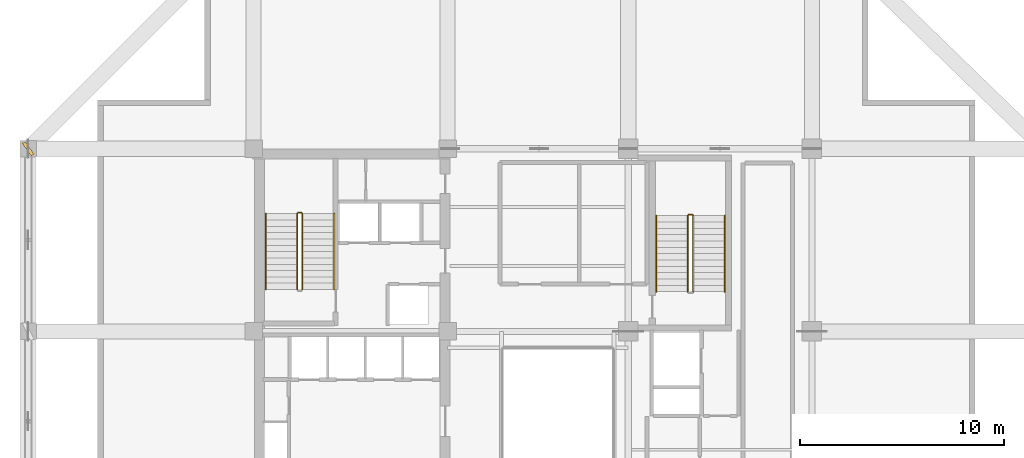
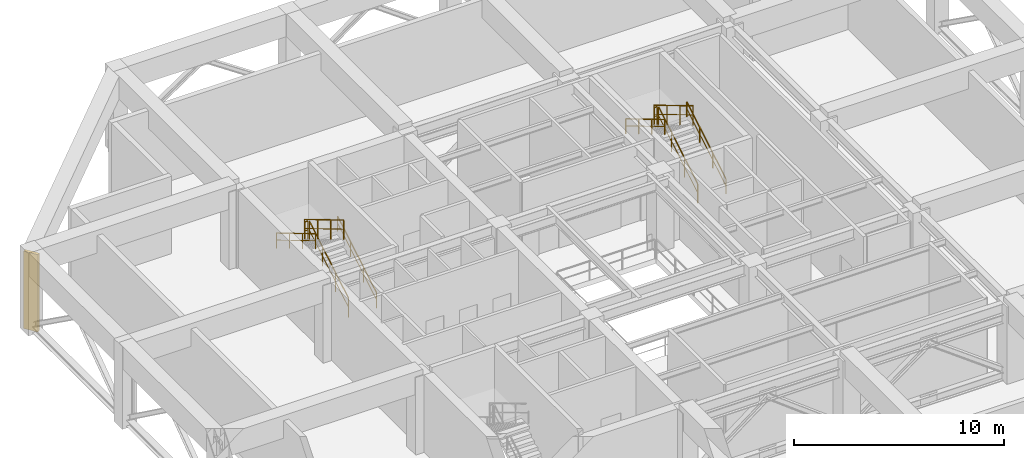
# One storey, part 10 of 10: 10 railings, 1 shading device.
"""IFC4 building model written with IfcOpenShell, lengths in metres."""

from ifc_helpers import new_model, si_unit, direction, frame, origin, origin_2d, place, context, subcontext, project, spatial, rectangle, extrude, material, type_object, element, save


model = new_model("IFC4")

# Units and contexts
model_context = context("Model", 3, precision=1e-05, world=origin(), true_north=direction((0.0, 1.0)))
body_context = subcontext(model_context, "Body", "Model", "MODEL_VIEW")
ifc_project = project(units=[si_unit("LENGTHUNIT", "METRE"), si_unit("AREAUNIT", "SQUARE_METRE"), si_unit("VOLUMEUNIT", "CUBIC_METRE"), si_unit("PLANEANGLEUNIT", "RADIAN"), si_unit("MASSUNIT", "GRAM", prefix="KILO")], contexts=[model_context])

# Site, building, storey
site_placement = place(None, origin())
site = spatial("IfcSite", under=ifc_project, at=site_placement, CompositionType="ELEMENT")
building_placement = place(site_placement, origin())
building = spatial("IfcBuilding", under=site, at=building_placement, Name="Kundavana Baori Tower", CompositionType="ELEMENT")
storey_placement = place(building_placement, frame((0.0, 0.0, 204.10009765625)))
storey = spatial("IfcBuildingStorey", under=building, at=storey_placement, Name="L50", CompositionType="ELEMENT", Elevation=204.10009765625)

# Railings
ifc_material_1 = material(Name="Architectural Patinated Bronze Metalwork")
railing_type_1 = type_object("IfcRailingType", Name="RL-GRD-1150", PredefinedType="GUARDRAIL", material=ifc_material_1)
railing_1_placement = place(storey_placement, frame((17.840087890625, 35.050048828125, 0.1845703125)))
element("IfcRailing", 1, at=railing_1_placement, inside=storey, type_object=railing_type_1, Name="L50 ST2 stair guard 1", PredefinedType="GUARDRAIL", context=body_context, shape_type="SweptSolid", body=[
    extrude(rectangle(XDim=0.048095703125, YDim=0.048095703125, at=origin_2d()), frame((0.0, 0.0, 1.1259765625), z_axis=(0.0, 0.859184880589, 0.511665262615), x_axis=(-1.0, 0.0, 0.0)), (0.0, 0.0, 1.0), 4.32958984375),
    extrude(rectangle(XDim=0.03125, YDim=0.03125, at=origin_2d()), frame((0.0, 0.0, 0.597900390625), z_axis=(0.0, 0.859184880589, 0.511665262615), x_axis=(-1.0, 0.0, 0.0)), (0.0, 0.0, 1.0), 4.32958984375),
    extrude(rectangle(XDim=0.0419921875, YDim=0.0419921875, at=origin_2d()), origin(), (0.0, 0.0, 1.0), 1.101806640625),
    extrude(rectangle(XDim=0.0419921875, YDim=0.0419921875, at=origin_2d()), frame((0.0, 1.239990234375, 0.738525390625)), (0.0, 0.0, 1.0), 1.101806640625),
    extrude(rectangle(XDim=0.0419921875, YDim=0.0419921875, at=origin_2d()), frame((0.0, 2.47998046875, 1.476806640625)), (0.0, 0.0, 1.0), 1.101806640625),
    extrude(rectangle(XDim=0.0419921875, YDim=0.0419921875, at=origin_2d()), frame((0.0, 3.719970703125, 2.21533203125)), (0.0, 0.0, 1.0), 1.101806640625),
])
railing_2_placement = place(storey_placement, frame((17.7900390625, 38.820068359375, 2.39990234375)))
element("IfcRailing", 2, at=railing_2_placement, inside=storey, type_object=railing_type_1, Name="L50 ST2 stair guard 2", PredefinedType="GUARDRAIL", context=body_context, shape_type="SweptSolid", body=[
    extrude(rectangle(XDim=0.048095703125, YDim=0.048095703125, at=origin_2d()), frame((0.0, 0.0, 1.1259765625), z_axis=(-1.0, 0.0, 0.0), x_axis=(0.0, -1.0, 0.0)), (0.0, 0.0, 1.0), 0.16015625),
    extrude(rectangle(XDim=0.03125, YDim=0.03125, at=origin_2d()), frame((0.0, 0.0, 0.597900390625), z_axis=(-1.0, 0.0, 0.0), x_axis=(0.0, -1.0, 0.0)), (0.0, 0.0, 1.0), 0.16015625),
    extrude(rectangle(XDim=0.0419921875, YDim=0.0419921875, at=origin_2d()), origin(), (0.0, 0.0, 1.0), 1.101806640625),
    extrude(rectangle(XDim=0.0419921875, YDim=0.0419921875, at=origin_2d()), frame((-0.16015625, 0.0, 0.0)), (0.0, 0.0, 1.0), 1.101806640625),
])
railing_3_placement = place(storey_placement, frame((17.580078125, 38.77001953125, 2.58447265625)))
element("IfcRailing", 3, at=railing_3_placement, inside=storey, type_object=railing_type_1, Name="L50 ST2 stair guard 3", PredefinedType="GUARDRAIL", context=body_context, shape_type="SweptSolid", body=[
    extrude(rectangle(XDim=0.048095703125, YDim=0.048095703125, at=origin_2d()), frame((0.0, 0.0, 1.1259765625), z_axis=(0.0, -0.859184880589, 0.511665262615), x_axis=(1.0, 0.0, 0.0)), (0.0, 0.0, 1.0), 4.32958984375),
    extrude(rectangle(XDim=0.03125, YDim=0.03125, at=origin_2d()), frame((0.0, 0.0, 0.597900390625), z_axis=(0.0, -0.859184880589, 0.511665262615), x_axis=(1.0, 0.0, 0.0)), (0.0, 0.0, 1.0), 4.32958984375),
    extrude(rectangle(XDim=0.0419921875, YDim=0.0419921875, at=origin_2d()), origin(), (0.0, 0.0, 1.0), 1.101806640625),
    extrude(rectangle(XDim=0.0419921875, YDim=0.0419921875, at=origin_2d()), frame((0.0, -1.239990234375, 0.738525390625)), (0.0, 0.0, 1.0), 1.101806640625),
    extrude(rectangle(XDim=0.0419921875, YDim=0.0419921875, at=origin_2d()), frame((0.0, -2.47998046875, 1.476806640625)), (0.0, 0.0, 1.0), 1.101806640625),
    extrude(rectangle(XDim=0.0419921875, YDim=0.0419921875, at=origin_2d()), frame((0.0, -3.719970703125, 2.21533203125)), (0.0, 0.0, 1.0), 1.101806640625),
])
railing_4_placement = place(storey_placement, frame((36.97998046875, 34.949951171875, 0.1845703125)))
element("IfcRailing", 4, at=railing_4_placement, inside=storey, type_object=railing_type_1, Name="L50 ST3 stair guard 1", PredefinedType="GUARDRAIL", context=body_context, shape_type="SweptSolid", body=[
    extrude(rectangle(XDim=0.048095703125, YDim=0.048095703125, at=origin_2d()), frame((0.0, 0.0, 1.1259765625), z_axis=(0.0, 0.859184880589, 0.511665262615), x_axis=(-1.0, 0.0, 0.0)), (0.0, 0.0, 1.0), 4.32958984375),
    extrude(rectangle(XDim=0.03125, YDim=0.03125, at=origin_2d()), frame((0.0, 0.0, 0.597900390625), z_axis=(0.0, 0.859184880589, 0.511665262615), x_axis=(-1.0, 0.0, 0.0)), (0.0, 0.0, 1.0), 4.32958984375),
    extrude(rectangle(XDim=0.0419921875, YDim=0.0419921875, at=origin_2d()), origin(), (0.0, 0.0, 1.0), 1.101806640625),
    extrude(rectangle(XDim=0.0419921875, YDim=0.0419921875, at=origin_2d()), frame((0.0, 1.239990234375, 0.738525390625)), (0.0, 0.0, 1.0), 1.101806640625),
    extrude(rectangle(XDim=0.0419921875, YDim=0.0419921875, at=origin_2d()), frame((0.0, 2.47998046875, 1.476806640625)), (0.0, 0.0, 1.0), 1.101806640625),
    extrude(rectangle(XDim=0.0419921875, YDim=0.0419921875, at=origin_2d()), frame((0.0, 3.719970703125, 2.21533203125)), (0.0, 0.0, 1.0), 1.101806640625),
])
railing_5_placement = place(storey_placement, frame((36.929931640625, 38.719970703125, 2.39990234375)))
element("IfcRailing", 5, at=railing_5_placement, inside=storey, type_object=railing_type_1, Name="L50 ST3 stair guard 2", PredefinedType="GUARDRAIL", context=body_context, shape_type="SweptSolid", body=[
    extrude(rectangle(XDim=0.048095703125, YDim=0.048095703125, at=origin_2d()), frame((0.0, 0.0, 1.1259765625), z_axis=(-1.0, 0.0, 0.0), x_axis=(0.0, -1.0, 0.0)), (0.0, 0.0, 1.0), 0.159912109375),
    extrude(rectangle(XDim=0.03125, YDim=0.03125, at=origin_2d()), frame((0.0, 0.0, 0.597900390625), z_axis=(-1.0, 0.0, 0.0), x_axis=(0.0, -1.0, 0.0)), (0.0, 0.0, 1.0), 0.159912109375),
    extrude(rectangle(XDim=0.0419921875, YDim=0.0419921875, at=origin_2d()), origin(), (0.0, 0.0, 1.0), 1.101806640625),
    extrude(rectangle(XDim=0.0419921875, YDim=0.0419921875, at=origin_2d()), frame((-0.159912109375, 0.0, 0.0)), (0.0, 0.0, 1.0), 1.101806640625),
])
railing_6_placement = place(storey_placement, frame((36.719970703125, 38.669921875, 2.58447265625)))
element("IfcRailing", 6, at=railing_6_placement, inside=storey, type_object=railing_type_1, Name="L50 ST3 stair guard 3", PredefinedType="GUARDRAIL", context=body_context, shape_type="SweptSolid", body=[
    extrude(rectangle(XDim=0.048095703125, YDim=0.048095703125, at=origin_2d()), frame((0.0, 0.0, 1.1259765625), z_axis=(0.0, -0.859184880589, 0.511665262615), x_axis=(1.0, 0.0, 0.0)), (0.0, 0.0, 1.0), 4.32958984375),
    extrude(rectangle(XDim=0.03125, YDim=0.03125, at=origin_2d()), frame((0.0, 0.0, 0.597900390625), z_axis=(0.0, -0.859184880589, 0.511665262615), x_axis=(1.0, 0.0, 0.0)), (0.0, 0.0, 1.0), 4.32958984375),
    extrude(rectangle(XDim=0.0419921875, YDim=0.0419921875, at=origin_2d()), origin(), (0.0, 0.0, 1.0), 1.101806640625),
    extrude(rectangle(XDim=0.0419921875, YDim=0.0419921875, at=origin_2d()), frame((0.0, -1.239990234375, 0.738525390625)), (0.0, 0.0, 1.0), 1.101806640625),
    extrude(rectangle(XDim=0.0419921875, YDim=0.0419921875, at=origin_2d()), frame((0.0, -2.47998046875, 1.476806640625)), (0.0, 0.0, 1.0), 1.101806640625),
    extrude(rectangle(XDim=0.0419921875, YDim=0.0419921875, at=origin_2d()), frame((0.0, -3.719970703125, 2.21533203125)), (0.0, 0.0, 1.0), 1.101806640625),
])
ifc_material_2 = material(Name="Architectural Patinated Bronze Metalwork")
railing_type_2 = type_object("IfcRailingType", Name="RL-HND-920", PredefinedType="HANDRAIL", material=ifc_material_2)
railing_7_placement = place(storey_placement, frame((19.389892578125, 35.050048828125, 0.1845703125)))
element("IfcRailing", 7, at=railing_7_placement, inside=storey, type_object=railing_type_2, Name="L50 ST2 stair handrail 1", PredefinedType="HANDRAIL", context=body_context, shape_type="SweptSolid", body=[
    extrude(rectangle(XDim=0.048095703125, YDim=0.048095703125, at=origin_2d()), frame((0.0, 0.0, 0.8759765625), z_axis=(0.0, 0.859184880589, 0.511665262615), x_axis=(-1.0, 0.0, 0.0)), (0.0, 0.0, 1.0), 4.32958984375),
    extrude(rectangle(XDim=0.03125, YDim=0.03125, at=origin_2d()), frame((0.0, 0.0, 0.468017578125), z_axis=(0.0, 0.859184880589, 0.511665262615), x_axis=(-1.0, 0.0, 0.0)), (0.0, 0.0, 1.0), 4.32958984375),
    extrude(rectangle(XDim=0.0419921875, YDim=0.0419921875, at=origin_2d()), origin(), (0.0, 0.0, 1.0), 0.851806640625),
    extrude(rectangle(XDim=0.0419921875, YDim=0.0419921875, at=origin_2d()), frame((0.0, 1.239990234375, 0.738525390625)), (0.0, 0.0, 1.0), 0.851806640625),
    extrude(rectangle(XDim=0.0419921875, YDim=0.0419921875, at=origin_2d()), frame((0.0, 2.47998046875, 1.476806640625)), (0.0, 0.0, 1.0), 0.851806640625),
    extrude(rectangle(XDim=0.0419921875, YDim=0.0419921875, at=origin_2d()), frame((0.0, 3.719970703125, 2.21533203125)), (0.0, 0.0, 1.0), 0.851806640625),
])
railing_8_placement = place(storey_placement, frame((16.030029296875, 38.77001953125, 2.58447265625)))
element("IfcRailing", 8, at=railing_8_placement, inside=storey, type_object=railing_type_2, Name="L50 ST2 stair handrail 2", PredefinedType="HANDRAIL", context=body_context, shape_type="SweptSolid", body=[
    extrude(rectangle(XDim=0.048095703125, YDim=0.048095703125, at=origin_2d()), frame((0.0, 0.0, 0.8759765625), z_axis=(0.0, -0.859184880589, 0.511665262615), x_axis=(1.0, 0.0, 0.0)), (0.0, 0.0, 1.0), 4.32958984375),
    extrude(rectangle(XDim=0.03125, YDim=0.03125, at=origin_2d()), frame((0.0, 0.0, 0.468017578125), z_axis=(0.0, -0.859184880589, 0.511665262615), x_axis=(1.0, 0.0, 0.0)), (0.0, 0.0, 1.0), 4.32958984375),
    extrude(rectangle(XDim=0.0419921875, YDim=0.0419921875, at=origin_2d()), origin(), (0.0, 0.0, 1.0), 0.851806640625),
    extrude(rectangle(XDim=0.0419921875, YDim=0.0419921875, at=origin_2d()), frame((0.0, -1.239990234375, 0.738525390625)), (0.0, 0.0, 1.0), 0.851806640625),
    extrude(rectangle(XDim=0.0419921875, YDim=0.0419921875, at=origin_2d()), frame((0.0, -2.47998046875, 1.476806640625)), (0.0, 0.0, 1.0), 0.851806640625),
    extrude(rectangle(XDim=0.0419921875, YDim=0.0419921875, at=origin_2d()), frame((0.0, -3.719970703125, 2.21533203125)), (0.0, 0.0, 1.0), 0.851806640625),
])
railing_9_placement = place(storey_placement, frame((38.530029296875, 34.949951171875, 0.1845703125)))
element("IfcRailing", 9, at=railing_9_placement, inside=storey, type_object=railing_type_2, Name="L50 ST3 stair handrail 1", PredefinedType="HANDRAIL", context=body_context, shape_type="SweptSolid", body=[
    extrude(rectangle(XDim=0.048095703125, YDim=0.048095703125, at=origin_2d()), frame((0.0, 0.0, 0.8759765625), z_axis=(0.0, 0.859184880589, 0.511665262615), x_axis=(-1.0, 0.0, 0.0)), (0.0, 0.0, 1.0), 4.32958984375),
    extrude(rectangle(XDim=0.03125, YDim=0.03125, at=origin_2d()), frame((0.0, 0.0, 0.468017578125), z_axis=(0.0, 0.859184880589, 0.511665262615), x_axis=(-1.0, 0.0, 0.0)), (0.0, 0.0, 1.0), 4.32958984375),
    extrude(rectangle(XDim=0.0419921875, YDim=0.0419921875, at=origin_2d()), origin(), (0.0, 0.0, 1.0), 0.851806640625),
    extrude(rectangle(XDim=0.0419921875, YDim=0.0419921875, at=origin_2d()), frame((0.0, 1.239990234375, 0.738525390625)), (0.0, 0.0, 1.0), 0.851806640625),
    extrude(rectangle(XDim=0.0419921875, YDim=0.0419921875, at=origin_2d()), frame((0.0, 2.47998046875, 1.476806640625)), (0.0, 0.0, 1.0), 0.851806640625),
    extrude(rectangle(XDim=0.0419921875, YDim=0.0419921875, at=origin_2d()), frame((0.0, 3.719970703125, 2.21533203125)), (0.0, 0.0, 1.0), 0.851806640625),
])
railing_10_placement = place(storey_placement, frame((35.169921875, 38.669921875, 2.58447265625)))
element("IfcRailing", 10, at=railing_10_placement, inside=storey, type_object=railing_type_2, Name="L50 ST3 stair handrail 2", PredefinedType="HANDRAIL", context=body_context, shape_type="SweptSolid", body=[
    extrude(rectangle(XDim=0.048095703125, YDim=0.048095703125, at=origin_2d()), frame((0.0, 0.0, 0.8759765625), z_axis=(0.0, -0.859184880589, 0.511665262615), x_axis=(1.0, 0.0, 0.0)), (0.0, 0.0, 1.0), 4.32958984375),
    extrude(rectangle(XDim=0.03125, YDim=0.03125, at=origin_2d()), frame((0.0, 0.0, 0.468017578125), z_axis=(0.0, -0.859184880589, 0.511665262615), x_axis=(1.0, 0.0, 0.0)), (0.0, 0.0, 1.0), 4.32958984375),
    extrude(rectangle(XDim=0.0419921875, YDim=0.0419921875, at=origin_2d()), origin(), (0.0, 0.0, 1.0), 0.851806640625),
    extrude(rectangle(XDim=0.0419921875, YDim=0.0419921875, at=origin_2d()), frame((0.0, -1.239990234375, 0.738525390625)), (0.0, 0.0, 1.0), 0.851806640625),
    extrude(rectangle(XDim=0.0419921875, YDim=0.0419921875, at=origin_2d()), frame((0.0, -2.47998046875, 1.476806640625)), (0.0, 0.0, 1.0), 0.851806640625),
    extrude(rectangle(XDim=0.0419921875, YDim=0.0419921875, at=origin_2d()), frame((0.0, -3.719970703125, 2.21533203125)), (0.0, 0.0, 1.0), 0.851806640625),
])

# Shading device
ifc_material_3 = material(Name="Red-Buff Dholpur Sandstone Cladding on Concrete C40/50", Category="masonry")
shading_device_type = type_object("IfcShadingDeviceType", Name="SHD-FIN-750", PredefinedType="JALOUSIE", material=ifc_material_3)
shading_device_placement = place(storey_placement, frame((4.39990234375, 41.949951171875, 0.0), z_axis=(0.0, 0.0, 1.0), x_axis=(0.813202348287, 0.581981048437, 0.0)))
element("IfcShadingDevice", 11, at=shading_device_placement, inside=storey, type_object=shading_device_type, Name="L50 Sweeping Dholpur Sandstone Facade Fin 8", PredefinedType="JALOUSIE", context=body_context, shape_type="SweptSolid", body=[
    extrude(rectangle(XDim=0.159912109375, YDim=0.75, at=origin_2d()), origin(), (0.0, 0.0, 1.0), 4.5),
])

save(model, "model.ifc")
